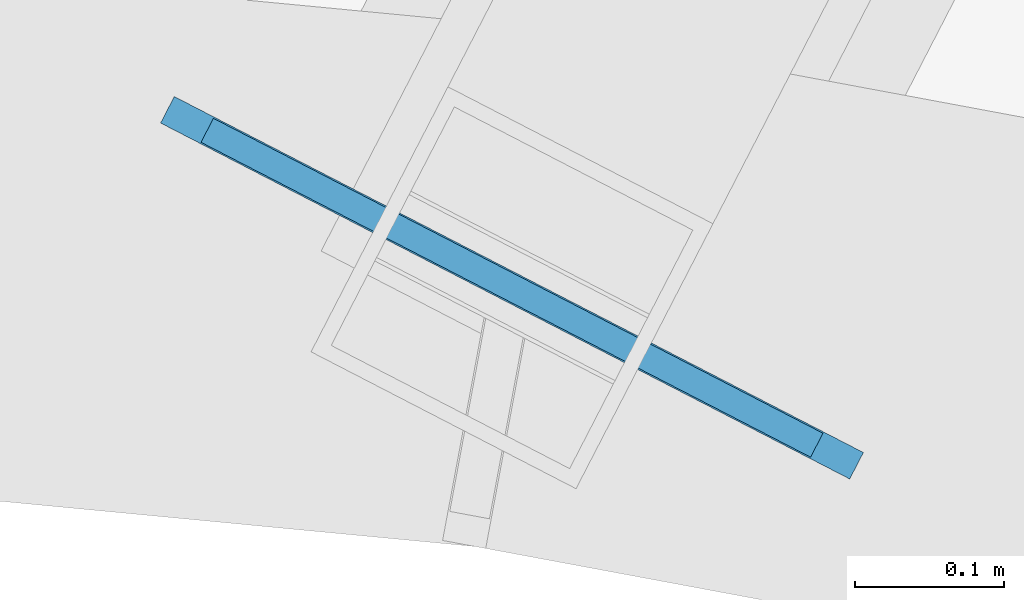
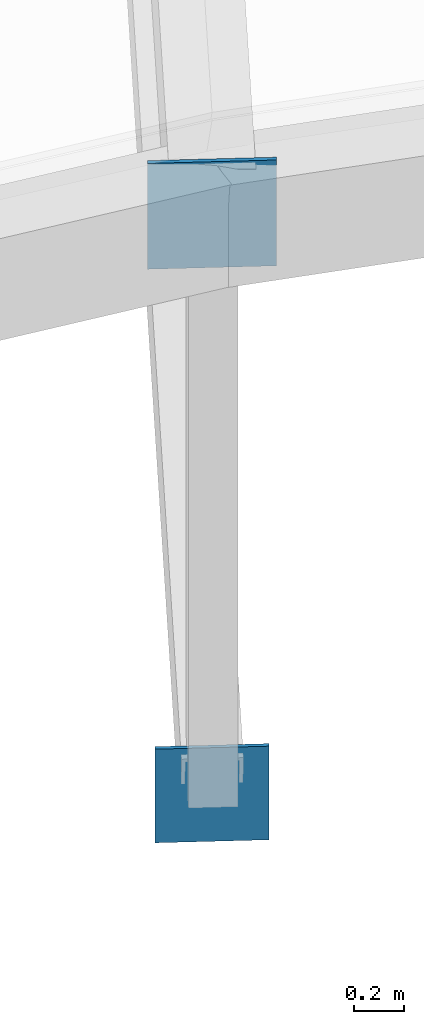
# One storey, part 120 of 143: 2 plates.
"""IFC4 building model written with IfcOpenShell, lengths in metres."""

from ifc_helpers import new_model, si_unit, direction, frame, origin, origin_2d, place, context, subcontext, project, spatial, rectangle, extrude, material, layer, layer_set, type_object, element, save


model = new_model("IFC4")

# Units and contexts
model_context = context("Model", 3, precision=1e-05, world=origin(), true_north=direction((0.0, 1.0)))
body_context = subcontext(model_context, "Body", "Model", "MODEL_VIEW")
ifc_project = project(units=[si_unit("LENGTHUNIT", "METRE"), si_unit("AREAUNIT", "SQUARE_METRE"), si_unit("VOLUMEUNIT", "CUBIC_METRE"), si_unit("PLANEANGLEUNIT", "RADIAN"), si_unit("MASSUNIT", "GRAM", prefix="KILO")], contexts=[model_context])

# Site, building, storey
site_placement = place(None, origin())
site = spatial("IfcSite", under=ifc_project, at=site_placement, CompositionType="ELEMENT")
building_placement = place(site_placement, origin())
building = spatial("IfcBuilding", under=site, at=building_placement, Name="Mphavela Belvedere Stadium", CompositionType="ELEMENT")
storey_placement = place(building_placement, frame((0.0, 0.0, 28.800048828125)))
storey = spatial("IfcBuildingStorey", under=building, at=storey_placement, Name="RF", CompositionType="ELEMENT", Elevation=28.800048828125)

# Plates
ifc_material_1 = material(Name="Steel S355", Category="steel")
ifc_layer_1 = layer(ifc_material_1, 0.01806640625)
ifc_layer_set_1 = layer_set([ifc_layer_1], Name="Steel S355")
plate_type_1 = type_object("IfcPlateType", Name="PLT-CAP-TRUSS-BC", PredefinedType="USERDEFINED", material=ifc_layer_set_1)
plate_1_placement = place(storey_placement, frame((137.383544921875, 130.331298828125, 3.826904296875), z_axis=(0.0, 0.0, 1.0), x_axis=(0.458959712465, 0.888457079624, 0.0)))
element("IfcPlate", 1, at=plate_1_placement, inside=storey, type_object=plate_type_1, Name="Roof truss RT-11 hollow-end cap plate in_bc", ObjectType="GUSSET_PLATE", PredefinedType="USERDEFINED", context=body_context, shape_type="SweptSolid", body=[
    extrude(rectangle(XDim=0.01806640625, YDim=0.4599609375, at=origin_2d()), origin(), (0.0, 0.0, 1.0), 0.4599609375),
])
ifc_material_2 = material(Name="Steel S355", Category="steel")
ifc_layer_2 = layer(ifc_material_2, 0.02001953125)
ifc_layer_set_2 = layer_set([ifc_layer_2], Name="Steel S355")
plate_type_2 = type_object("IfcPlateType", Name="PLT-CAP-TRUSS-TC", PredefinedType="USERDEFINED", material=ifc_layer_set_2)
plate_2_placement = place(storey_placement, frame((137.383544921875, 130.331298828125, 6.646728515625), z_axis=(0.0, 0.0, 1.0), x_axis=(0.458959712465, 0.888457079624, 0.0)))
element("IfcPlate", 2, at=plate_2_placement, inside=storey, type_object=plate_type_2, Name="Roof truss RT-11 hollow-end cap plate in_tc", ObjectType="GUSSET_PLATE", PredefinedType="USERDEFINED", context=body_context, shape_type="SweptSolid", body=[
    extrude(rectangle(XDim=0.02001953125, YDim=0.52001953125, at=origin_2d()), origin(), (0.0, 0.0, 1.0), 0.52001953125),
])

save(model, "model.ifc")
